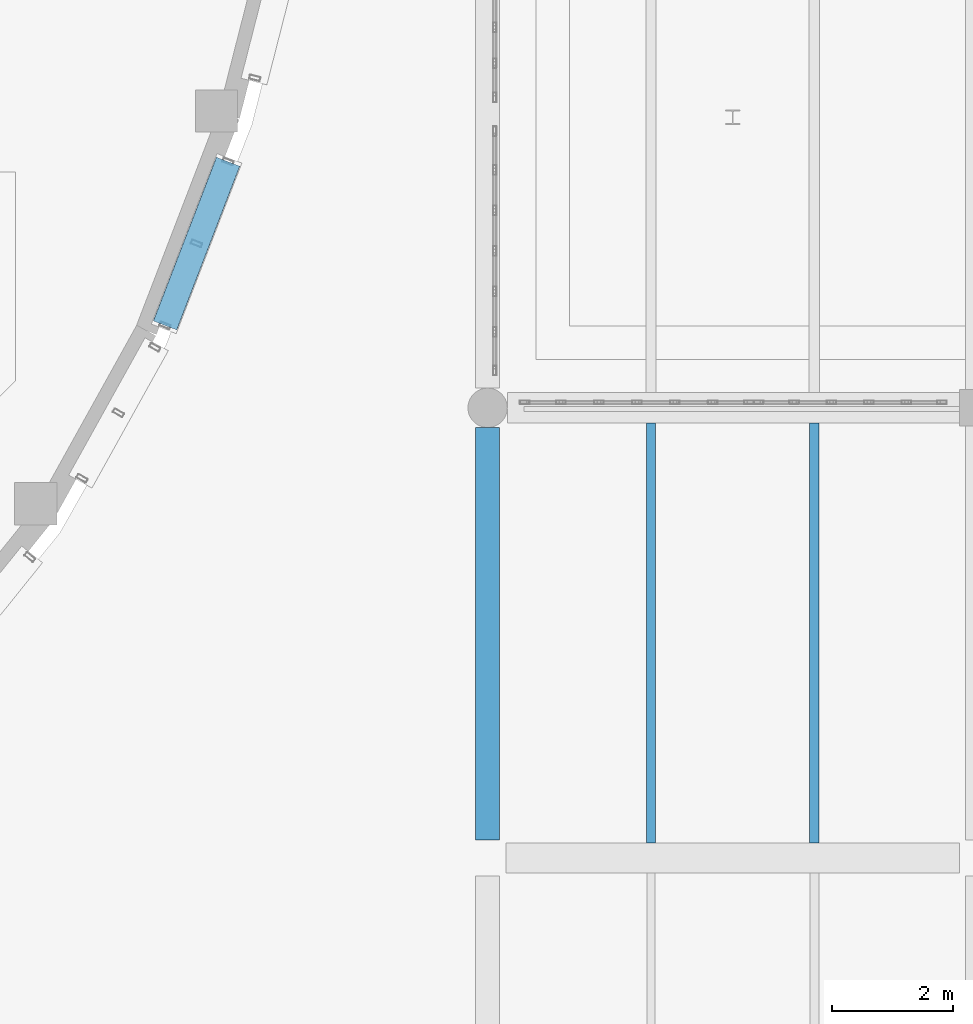
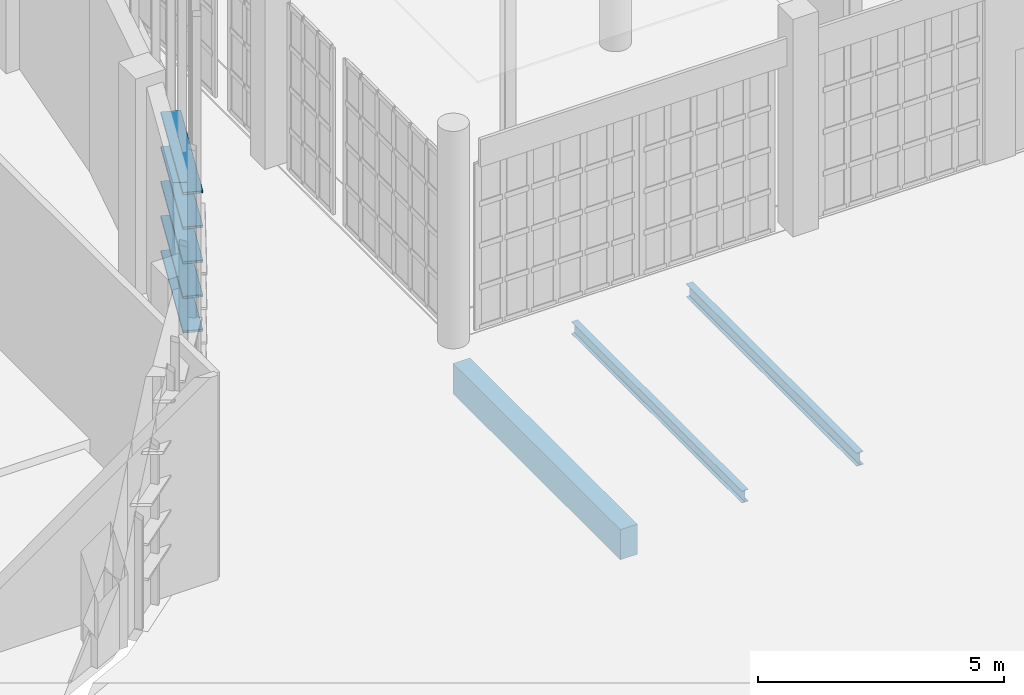
# One storey, part 210 of 372: 5 members, 3 beams.
"""IFC4 building model written with IfcOpenShell, lengths in metres."""

from ifc_helpers import new_model, si_unit, direction, frame, origin, origin_2d, place, context, subcontext, project, spatial, rectangle, hollow_rectangle, i_section, extrude, material, material_profile, profile_set, type_object, element, save


model = new_model("IFC4")

# Units and contexts
model_context = context("Model", 3, precision=1e-05, world=origin(), true_north=direction((0.0, 1.0)))
body_context = subcontext(model_context, "Body", "Model", "MODEL_VIEW")
ifc_project = project(units=[si_unit("LENGTHUNIT", "METRE"), si_unit("AREAUNIT", "SQUARE_METRE"), si_unit("VOLUMEUNIT", "CUBIC_METRE"), si_unit("PLANEANGLEUNIT", "RADIAN"), si_unit("MASSUNIT", "GRAM", prefix="KILO")], contexts=[model_context])

# Site, building, storey
site_placement = place(None, origin())
site = spatial("IfcSite", under=ifc_project, at=site_placement, CompositionType="ELEMENT")
building_placement = place(site_placement, origin())
building = spatial("IfcBuilding", under=site, at=building_placement, Name="Kaelora Sail Theatre", CompositionType="ELEMENT")
storey_placement = place(building_placement, origin())
storey = spatial("IfcBuildingStorey", under=building, at=storey_placement, Name="L00", CompositionType="ELEMENT", Elevation=0.0)

# Members
ifc_material_1 = material(Name="Anodised aluminium 6063-T6", Category="aluminium")
ifc_material_profile_1 = material_profile(ifc_material_1, hollow_rectangle(XDim=0.419921875, YDim=0.054931640625, WallThickness=0.00390625, InnerFilletRadius=0.00390625, OuterFilletRadius=0.008056640625, at=origin_2d()), Name="LOUVRE 420x55x4")
ifc_profile_set_1 = profile_set([ifc_material_profile_1], Name="Anodised aluminium 6063-T6")
member_type = type_object("IfcMemberType", Name="ARC-MEM-LVR-420", PredefinedType="USERDEFINED", material=ifc_profile_set_1)
for number, where, z_axis, x_axis, name in (
    (1, (102.51123046875, 42.767578125, 1.25), (-0.359300533741, -0.93322190633, 0.0), (0.93322190633, -0.359300533741, 0.0), "Studio Theatre Sail Drum horizontal solar louvre C5-01"),
    (2, (102.51123046875, 42.767578125, 2.110107421875), (-0.359300533741, -0.93322190633, 0.0), (0.93322190633, -0.359300533741, 0.0), "Studio Theatre Sail Drum horizontal solar louvre C5-02"),
    (3, (102.51123046875, 42.767578125, 2.969970703125), (-0.359300533741, -0.93322190633, 0.0), (0.93322190633, -0.359300533741, 0.0), "Studio Theatre Sail Drum horizontal solar louvre C5-03"),
    (4, (102.51123046875, 42.767578125, 3.830078125), (-0.359300533741, -0.93322190633, 0.0), (0.93322190633, -0.359300533741, 0.0), "Studio Theatre Sail Drum horizontal solar louvre C5-04"),
    (5, (102.51123046875, 42.767578125, 4.68994140625), (-0.359300533741, -0.93322190633, 0.0), (0.93322190633, -0.359300533741, 0.0), "Studio Theatre Sail Drum horizontal solar louvre C5-05"),
):
    element("IfcMember", number, at=place(storey_placement, frame(where, z_axis=z_axis, x_axis=x_axis)), inside=storey, type_object=member_type, Name=name, ObjectType="LOUVRE", PredefinedType="USERDEFINED", context=body_context, shape_type="SweptSolid", body=[
        extrude(hollow_rectangle(XDim=0.419921875, YDim=0.054931640625, WallThickness=0.00390625, InnerFilletRadius=0.00390625, OuterFilletRadius=0.008056640625, at=origin_2d()), origin(), (0.0, 0.0, 1.0), 2.900634765625),
    ])

# Beams
ifc_material_2 = material(Name="Concrete C40/50", Category="concrete")
ifc_material_profile_2 = material_profile(ifc_material_2, rectangle(XDim=0.39990234375, YDim=0.75, at=origin_2d()), Name="RC-BM 400x750")
ifc_profile_set_2 = profile_set([ifc_material_profile_2], Name="Concrete C40/50")
beam_type_1 = type_object("IfcBeamType", Name="STR-BM-BM-RC4075", PredefinedType="BEAM", material=ifc_profile_set_2)
beam_1_placement = place(storey_placement, frame((106.800048828125, 31.56005859375, -0.695068359375), z_axis=(0.0, 1.0, 0.0), x_axis=(-1.0, 0.0, 0.0)))
element("IfcBeam", 6, at=beam_1_placement, inside=storey, type_object=beam_type_1, Name="Primary beam 14 E-F (L00)", PredefinedType="BEAM", context=body_context, shape_type="SweptSolid", body=[
    extrude(rectangle(XDim=0.39990234375, YDim=0.75, at=origin_2d()), origin(), (0.0, 0.0, 1.0), 6.81494140625),
])
ifc_material_3 = material(Name="Steel S355", Category="steel")
ifc_material_profile_3 = material_profile(ifc_material_3, i_section(OverallWidth=0.14990234375, OverallDepth=0.300048828125, WebThickness=0.007080078125, FlangeThickness=0.0107421875, FilletRadius=0.014892578125, at=origin_2d()), Name="IPE 300")
ifc_profile_set_3 = profile_set([ifc_material_profile_3], Name="Steel S355")
beam_type_2 = type_object("IfcBeamType", Name="STR-BM-JS-IPE300", PredefinedType="JOIST", material=ifc_profile_set_3)
beam_2_placement = place(storey_placement, frame((109.5, 31.510009765625, -0.469970703125), z_axis=(0.0, 1.0, 0.0), x_axis=(-1.0, 0.0, 0.0)))
element("IfcBeam", 7, at=beam_2_placement, inside=storey, type_object=beam_type_2, Name="Secondary floor joist 14/E-1 (L00)", PredefinedType="JOIST", context=body_context, shape_type="SweptSolid", body=[
    extrude(i_section(OverallWidth=0.14990234375, OverallDepth=0.300048828125, WebThickness=0.007080078125, FlangeThickness=0.0107421875, FilletRadius=0.014892578125, at=origin_2d()), origin(), (0.0, 0.0, 1.0), 6.93994140625),
])
ifc_material_4 = material(Name="Steel S355", Category="steel")
ifc_material_profile_4 = material_profile(ifc_material_4, i_section(OverallWidth=0.159912109375, OverallDepth=0.330078125, WebThickness=0.007568359375, FlangeThickness=0.011474609375, FilletRadius=0.01806640625, at=origin_2d()), Name="IPE 330")
ifc_profile_set_4 = profile_set([ifc_material_profile_4], Name="Steel S355")
beam_type_3 = type_object("IfcBeamType", Name="STR-BM-JS-IPE330", PredefinedType="JOIST", material=ifc_profile_set_4)
beam_3_placement = place(storey_placement, frame((112.199951171875, 31.510009765625, -0.485107421875), z_axis=(0.0, 1.0, 0.0), x_axis=(-1.0, 0.0, 0.0)))
element("IfcBeam", 8, at=beam_3_placement, inside=storey, type_object=beam_type_3, Name="Secondary floor joist 14/E-2 (L00)", PredefinedType="JOIST", context=body_context, shape_type="SweptSolid", body=[
    extrude(i_section(OverallWidth=0.159912109375, OverallDepth=0.330078125, WebThickness=0.007568359375, FlangeThickness=0.011474609375, FilletRadius=0.01806640625, at=origin_2d()), origin(), (0.0, 0.0, 1.0), 6.93994140625),
])

save(model, "model.ifc")
